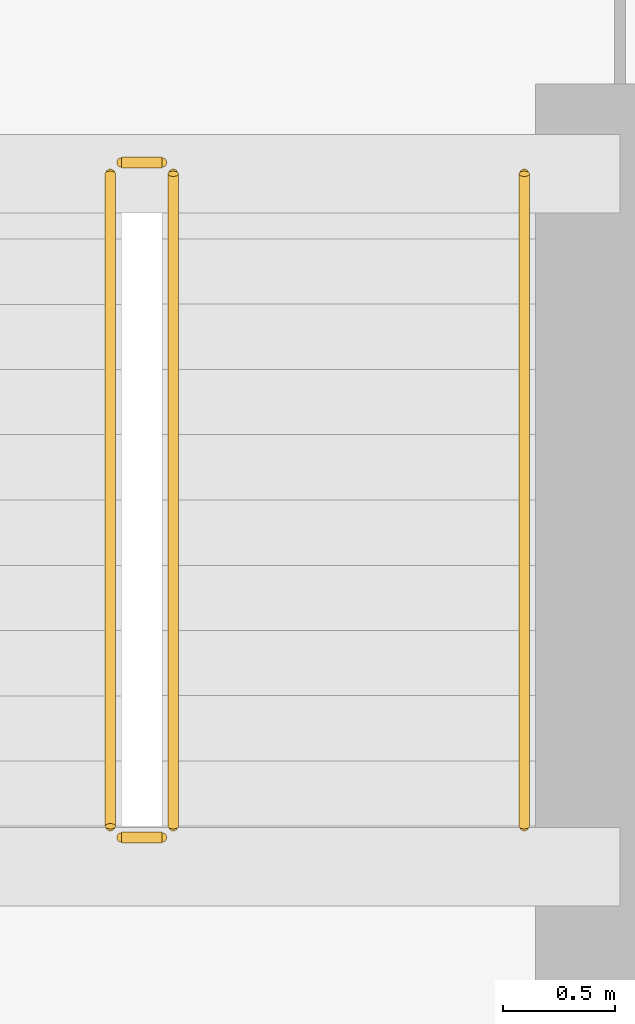
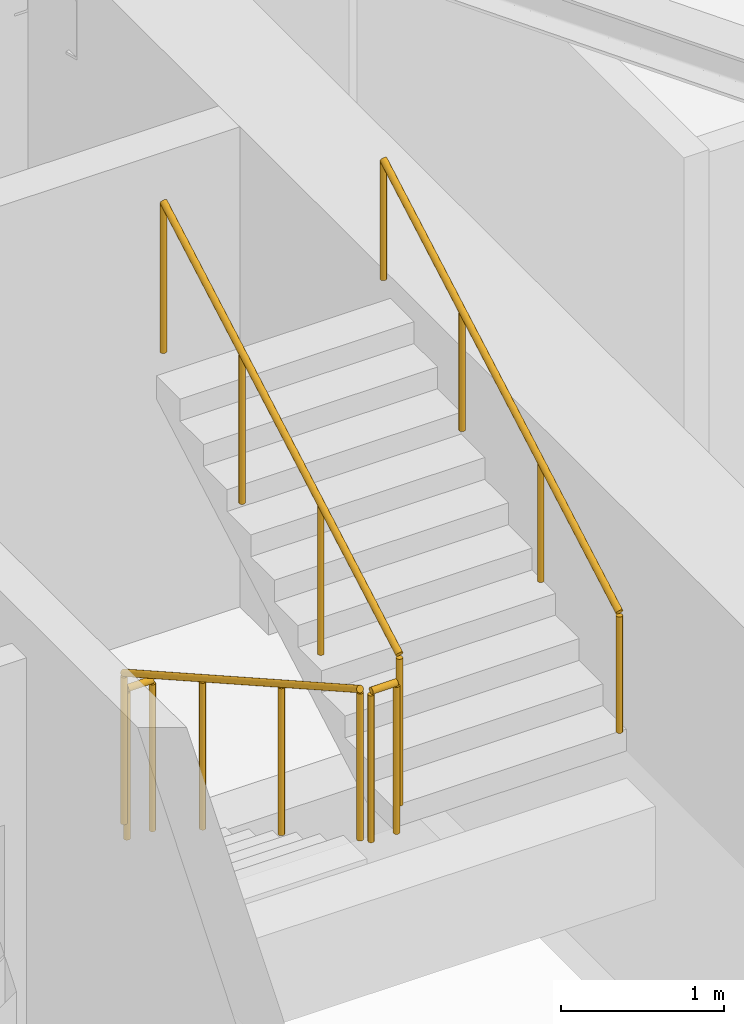
# One storey, part 11 of 11: 5 railings.
"""IFC4 building model written with IfcOpenShell, lengths in metres."""

from ifc_helpers import new_model, si_unit, direction, frame, origin, origin_2d, place, context, subcontext, project, spatial, circle, extrude, material, type_object, element, save


model = new_model("IFC4")

# Units and contexts
model_context = context("Model", 3, precision=1e-05, world=origin(), true_north=direction((0.0, 1.0)))
body_context = subcontext(model_context, "Body", "Model", "MODEL_VIEW")
ifc_project = project(units=[si_unit("LENGTHUNIT", "METRE"), si_unit("AREAUNIT", "SQUARE_METRE"), si_unit("VOLUMEUNIT", "CUBIC_METRE"), si_unit("PLANEANGLEUNIT", "RADIAN"), si_unit("MASSUNIT", "GRAM", prefix="KILO")], contexts=[model_context])

# Site, building, storey
site_placement = place(None, origin())
site = spatial("IfcSite", under=ifc_project, at=site_placement, CompositionType="ELEMENT")
building_placement = place(site_placement, origin())
building = spatial("IfcBuilding", under=site, at=building_placement, Name="Calvemar Wedge Station Tower", CompositionType="ELEMENT")
storey_placement = place(building_placement, frame((0.0, 0.0, 161.0)))
storey = spatial("IfcBuildingStorey", under=building, at=storey_placement, Name="L40", CompositionType="ELEMENT", Elevation=161.0)

# Railings
ifc_material_1 = material(Name="Stainless steel AISI 316L", Category="steel")
railing_type_1 = type_object("IfcRailingType", Name="RL-HANDRAIL-920", PredefinedType="HANDRAIL", material=ifc_material_1)
railing_1_placement = place(storey_placement, frame((30.949951171875, 38.25, 1.963623046875)))
element("IfcRailing", 1, at=railing_1_placement, inside=storey, type_object=railing_type_1, Name="L40 ST-C2 stair handrail 2", PredefinedType="HANDRAIL", context=body_context, shape_type="SweptSolid", body=[
    extrude(circle(Radius=0.02392578125, at=origin_2d()), frame((0.0, 0.0, 0.89599609375), z_axis=(0.0, 0.870897200241, 0.491465224214), x_axis=(-1.0, 0.0, 0.0)), (0.0, 0.0, 1.0), 3.329833984375),
    extrude(circle(Radius=0.02099609375, at=origin_2d()), origin(), (0.0, 0.0, 1.0), 0.871826171875),
    extrude(circle(Radius=0.02099609375, at=origin_2d()), frame((0.0, 0.966552734375, 0.54541015625)), (0.0, 0.0, 1.0), 0.871826171875),
    extrude(circle(Radius=0.02099609375, at=origin_2d()), frame((0.0, 1.933349609375, 1.091064453125)), (0.0, 0.0, 1.0), 0.871826171875),
    extrude(circle(Radius=0.02099609375, at=origin_2d()), frame((0.0, 2.89990234375, 1.636474609375)), (0.0, 0.0, 1.0), 0.871826171875),
])
ifc_material_2 = material(Name="Painted steel guardrail ASTM A500 Grade C", Category="steel")
railing_type_2 = type_object("IfcRailingType", Name="RL-STAIR-GUARD-1150", PredefinedType="GUARDRAIL", material=ifc_material_2)
railing_2_placement = place(storey_placement, frame((29.110107421875, 41.14990234375, 0.16357421875)))
element("IfcRailing", 2, at=railing_2_placement, inside=storey, type_object=railing_type_2, Name="L40 ST-C2 stair guard 1", PredefinedType="GUARDRAIL", context=body_context, shape_type="SweptSolid", body=[
    extrude(circle(Radius=0.02392578125, at=origin_2d()), frame((0.0, 0.0, 1.1259765625), z_axis=(0.0, -0.870897200241, 0.491465224214), x_axis=(1.0, 0.0, 0.0)), (0.0, 0.0, 1.0), 3.329833984375),
    extrude(circle(Radius=0.02099609375, at=origin_2d()), origin(), (0.0, 0.0, 1.0), 1.101806640625),
    extrude(circle(Radius=0.02099609375, at=origin_2d()), frame((0.0, -0.966552734375, 0.54541015625)), (0.0, 0.0, 1.0), 1.101806640625),
    extrude(circle(Radius=0.02099609375, at=origin_2d()), frame((0.0, -1.933349609375, 1.091064453125)), (0.0, 0.0, 1.0), 1.101806640625),
    extrude(circle(Radius=0.02099609375, at=origin_2d()), frame((0.0, -2.89990234375, 1.636474609375)), (0.0, 0.0, 1.0), 1.101806640625),
])
railing_3_placement = place(storey_placement, frame((29.159912109375, 38.199951171875, 1.800048828125)))
element("IfcRailing", 3, at=railing_3_placement, inside=storey, type_object=railing_type_2, Name="L40 ST-C2 stair guard 2", PredefinedType="GUARDRAIL", context=body_context, shape_type="SweptSolid", body=[
    extrude(circle(Radius=0.02392578125, at=origin_2d()), frame((0.0, 0.0, 1.1259765625), z_axis=(1.0, 0.0, 0.0), x_axis=(0.0, 1.0, 0.0)), (0.0, 0.0, 1.0), 0.18017578125),
    extrude(circle(Radius=0.02099609375, at=origin_2d()), origin(), (0.0, 0.0, 1.0), 1.101806640625),
    extrude(circle(Radius=0.02099609375, at=origin_2d()), frame((0.18017578125, 0.0, 0.0)), (0.0, 0.0, 1.0), 1.101806640625),
])
railing_4_placement = place(storey_placement, frame((29.389892578125, 38.25, 1.963623046875)))
element("IfcRailing", 4, at=railing_4_placement, inside=storey, type_object=railing_type_2, Name="L40 ST-C2 stair guard 3", PredefinedType="GUARDRAIL", context=body_context, shape_type="SweptSolid", body=[
    extrude(circle(Radius=0.02392578125, at=origin_2d()), frame((0.0, 0.0, 1.1259765625), z_axis=(0.0, 0.870897200241, 0.491465224214), x_axis=(-1.0, 0.0, 0.0)), (0.0, 0.0, 1.0), 3.329833984375),
    extrude(circle(Radius=0.02099609375, at=origin_2d()), origin(), (0.0, 0.0, 1.0), 1.101806640625),
    extrude(circle(Radius=0.02099609375, at=origin_2d()), frame((0.0, 0.966552734375, 0.54541015625)), (0.0, 0.0, 1.0), 1.101806640625),
    extrude(circle(Radius=0.02099609375, at=origin_2d()), frame((0.0, 1.933349609375, 1.091064453125)), (0.0, 0.0, 1.0), 1.101806640625),
    extrude(circle(Radius=0.02099609375, at=origin_2d()), frame((0.0, 2.89990234375, 1.636474609375)), (0.0, 0.0, 1.0), 1.101806640625),
])
railing_5_placement = place(storey_placement, frame((29.159912109375, 41.199951171875, 0.0)))
element("IfcRailing", 5, at=railing_5_placement, inside=storey, type_object=railing_type_2, Name="L40 ST-C2 stair guard 4", PredefinedType="GUARDRAIL", context=body_context, shape_type="SweptSolid", body=[
    extrude(circle(Radius=0.02392578125, at=origin_2d()), frame((0.0, 0.0, 1.1259765625), z_axis=(1.0, 0.0, 0.0), x_axis=(0.0, 1.0, 0.0)), (0.0, 0.0, 1.0), 0.18017578125),
    extrude(circle(Radius=0.02099609375, at=origin_2d()), origin(), (0.0, 0.0, 1.0), 1.101806640625),
    extrude(circle(Radius=0.02099609375, at=origin_2d()), frame((0.18017578125, 0.0, 0.0)), (0.0, 0.0, 1.0), 1.101806640625),
])

save(model, "model.ifc")
